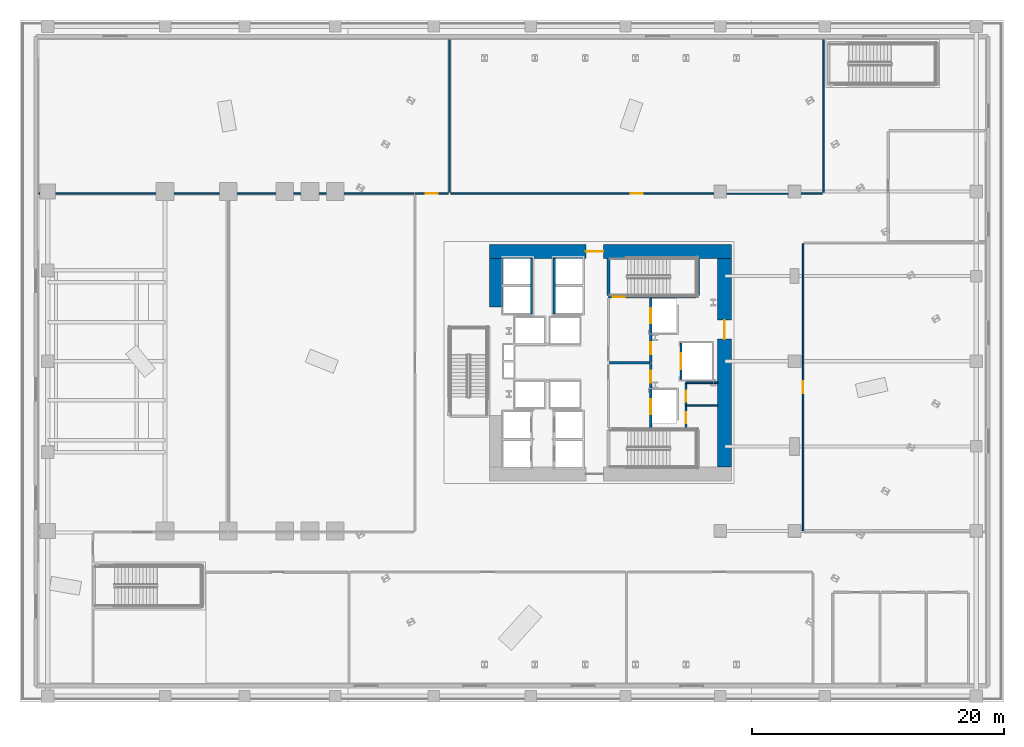
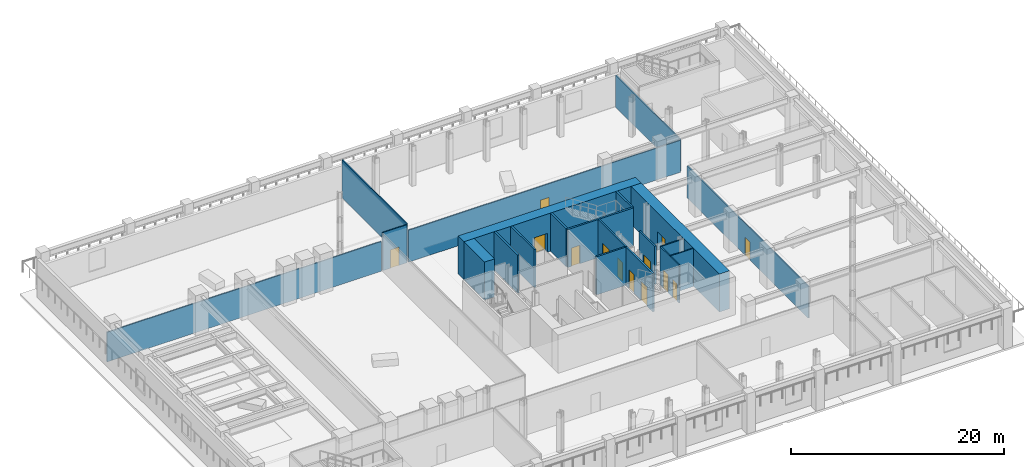
# One storey, part 5 of 18: 21 walls, 13 doors, 13 openings.
"""IFC4 building model written with IfcOpenShell, lengths in metres."""

from ifc_helpers import new_model, si_unit, direction, frame, frame_2d, origin, place, context, subcontext, project, spatial, rectangle, extrude, material, layer, layer_set, type_object, element, fill, save


model = new_model("IFC4")

# Units and contexts
model_context = context("Model", 3, precision=1e-05, world=origin(), true_north=direction((0.0, 1.0)))
body_context = subcontext(model_context, "Body", "Model", "MODEL_VIEW")
ifc_project = project(units=[si_unit("LENGTHUNIT", "METRE"), si_unit("AREAUNIT", "SQUARE_METRE"), si_unit("VOLUMEUNIT", "CUBIC_METRE"), si_unit("PLANEANGLEUNIT", "RADIAN"), si_unit("MASSUNIT", "GRAM", prefix="KILO")], contexts=[model_context])

# Site, building, storey
site_placement = place(None, origin())
site = spatial("IfcSite", under=ifc_project, at=site_placement, CompositionType="ELEMENT")
building_placement = place(site_placement, origin())
building = spatial("IfcBuilding", under=site, at=building_placement, Name="Valkerne Bourse Tower", CompositionType="ELEMENT")
storey_placement = place(building_placement, frame((0.0, 0.0, 14.800048828125)))
storey = spatial("IfcBuildingStorey", under=building, at=storey_placement, Name="L03", CompositionType="ELEMENT", Elevation=14.800048828125)

# Wall, opening, door
ifc_material_1 = material(Name="Concrete C70/85", Category="concrete")
ifc_layer_1 = layer(ifc_material_1, 1.10009765625)
ifc_layer_set_1 = layer_set([ifc_layer_1], Name="Concrete C70/85")
wall_type_1 = type_object("IfcWallType", Name="W-CORE-1100", PredefinedType="SHEAR", material=ifc_layer_set_1)
wall_1_placement = place(storey_placement, frame((37.199951171875, 35.699951171875, 0.0), z_axis=(0.0, 0.0, 1.0), x_axis=(1.0, 0.0, 0.0)))
wall_1 = element("IfcWall", 1, at=wall_1_placement, inside=storey, type_object=wall_type_1, Name="L03 Core Shear Wall NORTH", PredefinedType="SHEAR", context=body_context, shape_type="SweptSolid", body=[
    extrude(rectangle(XDim=19.199951171875, YDim=1.10009765625, at=frame_2d((9.60009765625, 0.0))), origin(), (0.0, 0.0, 1.0), 4.35986328125),
])
opening_1_placement = place(wall_1_placement, frame((7.64990234375, 0.0, 0.0)))
opening_1 = element("IfcOpeningElement", 2, at=opening_1_placement, cuts=wall_1, Name="Opening D-PL-1400", PredefinedType="OPENING", context=body_context, shape_type="SweptSolid", body=[
    extrude(rectangle(XDim=1.39990234375, YDim=2.14990234375, at=frame_2d((0.699951171875, 1.074951171875))), frame((0.0, 0.56005859375, 0.0), z_axis=(0.0, -1.0, 0.0), x_axis=(1.0, 0.0, 0.0)), (0.0, 0.0, 1.0), 1.1201171875),
])
ifc_material_2 = material(Name="Galvanised Painted Steel", Category="steel")
door_type_1 = type_object("IfcDoorType", Name="DR-PLT-1400", OperationType="DOUBLE_DOOR_SINGLE_SWING", PredefinedType="DOOR", material=ifc_material_2)
door_1_placement = place(opening_1_placement, origin())
door_1 = element("IfcDoor", 3, at=door_1_placement, inside=storey, type_object=door_type_1, Name="L03 North Passenger Lift Hall Fire Door", OperationType="DOUBLE_DOOR_SINGLE_SWING", OverallHeight=2.14990234375, OverallWidth=1.39990234375, PredefinedType="DOOR", context=body_context, shape_type="SweptSolid", body=[
    extrude(rectangle(XDim=1.39990234375, YDim=2.14990234375, at=frame_2d((0.699951171875, 1.074951171875))), frame((0.0, 0.02490234375, 0.0), z_axis=(0.0, -1.0, 0.0), x_axis=(1.0, 0.0, 0.0)), (0.0, 0.0, 1.0), 0.050048828125),
])
fill(opening_1, door_1)

wall_2_placement = place(storey_placement, frame((55.85009765625, 18.60009765625, 0.0), z_axis=(0.0, 0.0, 1.0), x_axis=(0.0, 1.0, 0.0)))
wall_2 = element("IfcWall", 4, at=wall_2_placement, inside=storey, type_object=wall_type_1, Name="L03 Core Shear Wall EAST", PredefinedType="SHEAR", context=body_context, shape_type="SweptSolid", body=[
    extrude(rectangle(XDim=16.5498046875, YDim=1.10009765625, at=frame_2d((8.27490234375, 0.0))), origin(), (0.0, 0.0, 1.0), 4.35986328125),
])
opening_2_placement = place(wall_2_placement, frame((10.14990234375, 0.0, 0.0)))
opening_2 = element("IfcOpeningElement", 5, at=opening_2_placement, cuts=wall_2, Name="Opening D-CR-1500", PredefinedType="OPENING", context=body_context, shape_type="SweptSolid", body=[
    extrude(rectangle(XDim=1.5, YDim=2.14990234375, at=frame_2d((0.75, 1.074951171875))), frame((0.0, 0.56005859375, 0.0), z_axis=(0.0, -1.0, 0.0), x_axis=(1.0, 0.0, 0.0)), (0.0, 0.0, 1.0), 1.1201171875),
])
door_type_2 = type_object("IfcDoorType", Name="DR-CORR-1500", OperationType="DOUBLE_DOOR_SINGLE_SWING", PredefinedType="DOOR", material=ifc_material_2)
door_2_placement = place(opening_2_placement, origin())
door_2 = element("IfcDoor", 6, at=door_2_placement, inside=storey, type_object=door_type_2, Name="L03 East Core Service Lobby Fire Door", OperationType="DOUBLE_DOOR_SINGLE_SWING", OverallHeight=2.14990234375, OverallWidth=1.5, PredefinedType="DOOR", context=body_context, shape_type="SweptSolid", body=[
    extrude(rectangle(XDim=1.5, YDim=2.14990234375, at=frame_2d((0.75, 1.074951171875))), frame((0.0, 0.02490234375, 0.0), z_axis=(0.0, -1.0, 0.0), x_axis=(1.0, 0.0, 0.0)), (0.0, 0.0, 1.0), 0.050048828125),
])
fill(opening_2, door_2)

# Walls
wall_3_placement = place(storey_placement, frame((37.75, 31.300048828125, 0.0), z_axis=(0.0, 0.0, 1.0), x_axis=(0.0, 1.0, 0.0)))
element("IfcWall", 7, at=wall_3_placement, inside=storey, type_object=wall_type_1, Name="L03 Core Shear Wall WEST-N", PredefinedType="SHEAR", context=body_context, shape_type="SweptSolid", body=[
    extrude(rectangle(XDim=3.849853515625, YDim=1.10009765625, at=frame_2d((1.9248046875, 0.0))), origin(), (0.0, 0.0, 1.0), 4.35986328125),
])
ifc_material_3 = material(Name="Gypsum Board Steel-Stud Partition", Category="steel")
ifc_layer_2 = layer(ifc_material_3, 0.117919921875)
ifc_layer_set_2 = layer_set([ifc_layer_2], Name="Gypsum Board Steel-Stud Partition")
wall_type_2 = type_object("IfcWallType", Name="W-CORR-140", PredefinedType="PARTITIONING", material=ifc_layer_set_2)
wall_4_placement = place(storey_placement, frame((52.800048828125, 23.510009765625, 0.0), z_axis=(0.0, 0.0, 1.0), x_axis=(1.0, 0.0, 0.0)))
element("IfcWall", 8, at=wall_4_placement, inside=storey, type_object=wall_type_2, Name="L03 Core SE Dual Divider", PredefinedType="PARTITIONING", context=body_context, shape_type="SweptSolid", body=[
    extrude(rectangle(XDim=2.52001953125, YDim=0.117919921875, at=frame_2d((1.260009765625, 0.0))), origin(), (0.0, 0.0, 1.0), 4.35986328125),
])

# Wall, opening, door
wall_5_placement = place(storey_placement, frame((62.080078125, 13.550048828125, 0.0), z_axis=(0.0, 0.0, 1.0), x_axis=(0.0, 1.0, 0.0)))
wall_5 = element("IfcWall", 9, at=wall_5_placement, inside=storey, type_object=wall_type_2, Name="L03 L03 East Quantitative Analytics Office Wall", PredefinedType="PARTITIONING", context=body_context, shape_type="SweptSolid", body=[
    extrude(rectangle(XDim=22.75, YDim=0.117919921875, at=frame_2d((11.375, 0.0))), origin(), (0.0, 0.0, 1.0), 3.656494140625),
])
opening_3_placement = place(wall_5_placement, frame((10.89990234375, 0.0, 0.0)))
opening_3 = element("IfcOpeningElement", 10, at=opening_3_placement, cuts=wall_5, Name="Opening D-OF-950", PredefinedType="OPENING", context=body_context, shape_type="SweptSolid", body=[
    extrude(rectangle(XDim=0.949951171875, YDim=2.10009765625, at=frame_2d((0.47509765625, 1.050048828125))), frame((0.0, 0.06884765625, 0.0), z_axis=(0.0, -1.0, 0.0), x_axis=(1.0, 0.0, 0.0)), (0.0, 0.0, 1.0), 0.137939453125),
])
ifc_material_4 = material(Name="Architectural White Oak Timber", Category="wood")
door_type_3 = type_object("IfcDoorType", Name="DR-OFF-950", OperationType="NOTDEFINED", PredefinedType="DOOR", material=ifc_material_4)
door_3_placement = place(opening_3_placement, origin())
door_3 = element("IfcDoor", 11, at=door_3_placement, inside=storey, type_object=door_type_3, Name="L03 L03 East Analytics Office Door", OperationType="SINGLE_SWING_RIGHT", OverallHeight=2.10009765625, OverallWidth=0.949951171875, PredefinedType="DOOR", context=body_context, shape_type="SweptSolid", body=[
    extrude(rectangle(XDim=0.949951171875, YDim=2.10009765625, at=frame_2d((0.47509765625, 1.050048828125))), frame((0.0, 0.02490234375, 0.0), z_axis=(0.0, -1.0, 0.0), x_axis=(1.0, 0.0, 0.0)), (0.0, 0.0, 1.0), 0.050048828125),
])
fill(opening_3, door_3)

# Walls
wall_6_placement = place(storey_placement, frame((63.679931640625, 40.3798828125, 0.0), z_axis=(0.0, 0.0, 1.0), x_axis=(0.0, 1.0, 0.0)))
element("IfcWall", 12, at=wall_6_placement, inside=storey, type_object=wall_type_2, Name="L03 L03 North Clearing & Margin Office Wall", PredefinedType="PARTITIONING", context=body_context, shape_type="SweptSolid", body=[
    extrude(rectangle(XDim=12.1201171875, YDim=0.117919921875, at=frame_2d((6.06005859375, 0.0))), origin(), (0.0, 0.0, 1.0), 3.656494140625),
])
wall_7_placement = place(storey_placement, frame((34.06005859375, 40.3798828125, 0.0), z_axis=(0.0, 0.0, 1.0), x_axis=(0.0, 1.0, 0.0)))
element("IfcWall", 13, at=wall_7_placement, inside=storey, type_object=wall_type_2, Name="L03 L03 North Clearing & Margin Office Wall", PredefinedType="PARTITIONING", context=body_context, shape_type="SweptSolid", body=[
    extrude(rectangle(XDim=12.1201171875, YDim=0.117919921875, at=frame_2d((6.06005859375, 0.0))), origin(), (0.0, 0.0, 1.0), 4.35986328125),
])

# Wall, opening, door
wall_8_placement = place(storey_placement, frame((34.14990234375, 40.300048828125, 0.0), z_axis=(0.0, 0.0, 1.0), x_axis=(1.0, 0.0, 0.0)))
wall_8 = element("IfcWall", 14, at=wall_8_placement, inside=storey, type_object=wall_type_2, Name="L03 L03 North Clearing & Margin Office Wall", PredefinedType="PARTITIONING", context=body_context, shape_type="SweptSolid", body=[
    extrude(rectangle(XDim=29.4501953125, YDim=0.117919921875, at=frame_2d((14.72509765625, 0.0))), origin(), (0.0, 0.0, 1.0), 3.656494140625),
])
opening_4_placement = place(wall_8_placement, frame((14.25, 0.0, 0.0)))
opening_4 = element("IfcOpeningElement", 15, at=opening_4_placement, cuts=wall_8, Name="Opening D-OF-950", PredefinedType="OPENING", context=body_context, shape_type="SweptSolid", body=[
    extrude(rectangle(XDim=0.949951171875, YDim=2.10009765625, at=frame_2d((0.47509765625, 1.050048828125))), frame((0.0, 0.06884765625, 0.0), z_axis=(0.0, -1.0, 0.0), x_axis=(1.0, 0.0, 0.0)), (0.0, 0.0, 1.0), 0.137939453125),
])
door_4_placement = place(opening_4_placement, origin())
door_4 = element("IfcDoor", 16, at=door_4_placement, inside=storey, type_object=door_type_3, Name="L03 L03 North Clearing Office Door", OperationType="SINGLE_SWING_LEFT", OverallHeight=2.10009765625, OverallWidth=0.949951171875, PredefinedType="DOOR", context=body_context, shape_type="SweptSolid", body=[
    extrude(rectangle(XDim=0.949951171875, YDim=2.10009765625, at=frame_2d((0.47509765625, 1.050048828125))), frame((0.0, 0.02490234375, 0.0), z_axis=(0.0, -1.0, 0.0), x_axis=(1.0, 0.0, 0.0)), (0.0, 0.0, 1.0), 0.050048828125),
])
fill(opening_4, door_4)

# Wall
wall_9_placement = place(storey_placement, frame((1.5, 40.300048828125, 0.0), z_axis=(0.0, 0.0, 1.0), x_axis=(1.0, 0.0, 0.0)))
element("IfcWall", 17, at=wall_9_placement, inside=storey, type_object=wall_type_2, Name="L03 L03 North-West Derivatives Studio Office Wall", PredefinedType="PARTITIONING", context=body_context, shape_type="SweptSolid", body=[
    extrude(rectangle(XDim=29.699951171875, YDim=0.117919921875, at=frame_2d((14.85009765625, 0.0))), origin(), (0.0, 0.0, 1.0), 3.400146484375),
])

# Wall, opening, door
wall_10_placement = place(storey_placement, frame((31.35009765625, 40.300048828125, 0.0), z_axis=(0.0, 0.0, 1.0), x_axis=(1.0, 0.0, 0.0)))
wall_10 = element("IfcWall", 18, at=wall_10_placement, inside=storey, type_object=wall_type_2, Name="L03 L03 North-West Derivatives Studio Office Wall", PredefinedType="PARTITIONING", context=body_context, shape_type="SweptSolid", body=[
    extrude(rectangle(XDim=2.599853515625, YDim=0.117919921875, at=frame_2d((1.2998046875, 0.0))), origin(), (0.0, 0.0, 1.0), 4.35986328125),
])
opening_5_placement = place(wall_10_placement, frame((0.824951171875, 0.0, 0.0)))
opening_5 = element("IfcOpeningElement", 19, at=opening_5_placement, cuts=wall_10, Name="Opening D-OF-950", PredefinedType="OPENING", context=body_context, shape_type="SweptSolid", body=[
    extrude(rectangle(XDim=0.949951171875, YDim=2.10009765625, at=frame_2d((0.47509765625, 1.050048828125))), frame((0.0, 0.06884765625, 0.0), z_axis=(0.0, -1.0, 0.0), x_axis=(1.0, 0.0, 0.0)), (0.0, 0.0, 1.0), 0.137939453125),
])
door_5_placement = place(opening_5_placement, origin())
door_5 = element("IfcDoor", 20, at=door_5_placement, inside=storey, type_object=door_type_3, Name="L03 L03 NW Studio Office Door", OperationType="SINGLE_SWING_LEFT", OverallHeight=2.10009765625, OverallWidth=0.949951171875, PredefinedType="DOOR", context=body_context, shape_type="SweptSolid", body=[
    extrude(rectangle(XDim=0.949951171875, YDim=2.10009765625, at=frame_2d((0.47509765625, 1.050048828125))), frame((0.0, 0.02490234375, 0.0), z_axis=(0.0, -1.0, 0.0), x_axis=(1.0, 0.0, 0.0)), (0.0, 0.0, 1.0), 0.050048828125),
])
fill(opening_5, door_5)

# Wall
ifc_material_5 = material(Name="Gypsum Fire-Rated Shaftwall", Category="gypsum")
ifc_layer_3 = layer(ifc_material_5, 0.179931640625)
ifc_layer_set_3 = layer_set([ifc_layer_3], Name="Gypsum Fire-Rated Shaftwall")
wall_type_3 = type_object("IfcWallType", Name="W-FSAE-180", PredefinedType="PARTITIONING", material=ifc_layer_set_3)
wall_11_placement = place(storey_placement, frame((46.739990234375, 26.8798828125, 0.0), z_axis=(0.0, 0.0, 1.0), x_axis=(1.0, 0.0, 0.0)))
element("IfcWall", 21, at=wall_11_placement, inside=storey, type_object=wall_type_3, Name="L03 FSAE-1/2 Lobby Dividing Fire Wall", PredefinedType="PARTITIONING", context=body_context, shape_type="SweptSolid", body=[
    extrude(rectangle(XDim=3.169921875, YDim=0.179931640625, at=frame_2d((1.5849609375, 0.0))), origin(), (0.0, 0.0, 1.0), 4.35986328125),
])

# Wall, openings, doors
wall_12_placement = place(storey_placement, frame((50.0, 21.75, 0.0), z_axis=(0.0, 0.0, 1.0), x_axis=(0.0, 1.0, 0.0)))
wall_12 = element("IfcWall", 22, at=wall_12_placement, inside=storey, type_object=wall_type_3, Name="L03 FSAE-1 Lobby & Shaft Front Wall", PredefinedType="PARTITIONING", context=body_context, shape_type="SweptSolid", body=[
    extrude(rectangle(XDim=5.090087890625, YDim=0.179931640625, at=frame_2d((2.544921875, 0.0))), origin(), (0.0, 0.0, 1.0), 4.35986328125),
])
opening_6_placement = place(wall_12_placement, frame((1.050048828125, 0.0, 0.0)))
opening_6 = element("IfcOpeningElement", 23, at=opening_6_placement, cuts=wall_12, Name="Opening LD-1200", PredefinedType="OPENING", context=body_context, shape_type="SweptSolid", body=[
    extrude(rectangle(XDim=1.199951171875, YDim=2.14990234375, at=frame_2d((0.60009765625, 1.074951171875))), frame((0.0, 0.099853515625, 0.0), z_axis=(0.0, -1.0, 0.0), x_axis=(1.0, 0.0, 0.0)), (0.0, 0.0, 1.0), 0.199951171875),
])
opening_7_placement = place(wall_12_placement, frame((3.550048828125, 0.0, 0.0)))
opening_7 = element("IfcOpeningElement", 24, at=opening_7_placement, cuts=wall_12, Name="Opening D-FS-950", PredefinedType="OPENING", context=body_context, shape_type="SweptSolid", body=[
    extrude(rectangle(XDim=0.949951171875, YDim=2.10009765625, at=frame_2d((0.47509765625, 1.050048828125))), frame((0.0, 0.099853515625, 0.0), z_axis=(0.0, -1.0, 0.0), x_axis=(1.0, 0.0, 0.0)), (0.0, 0.0, 1.0), 0.199951171875),
])
door_type_4 = type_object("IfcDoorType", Name="DR-FSAE-950", OperationType="NOTDEFINED", PredefinedType="DOOR", material=ifc_material_2)
door_6_placement = place(opening_7_placement, origin())
door_6 = element("IfcDoor", 25, at=door_6_placement, inside=storey, type_object=door_type_4, Name="L03 FSAE-1 Lobby Corridor Fire Door", OperationType="SINGLE_SWING_LEFT", OverallHeight=2.10009765625, OverallWidth=0.949951171875, PredefinedType="DOOR", context=body_context, shape_type="SweptSolid", body=[
    extrude(rectangle(XDim=0.949951171875, YDim=2.10009765625, at=frame_2d((0.47509765625, 1.050048828125))), frame((0.0, 0.02490234375, 0.0), z_axis=(0.0, -1.0, 0.0), x_axis=(1.0, 0.0, 0.0)), (0.0, 0.0, 1.0), 0.050048828125),
])
fill(opening_7, door_6)
ifc_material_6 = material(Name="Stainless Steel AISI 316", Category="steel")
door_type_5 = type_object("IfcDoorType", Name="DR-LIFT-1200", OperationType="DOUBLE_DOOR_SLIDING", PredefinedType="DOOR", material=ifc_material_6)
door_7_placement = place(opening_6_placement, origin())
door_7 = element("IfcDoor", 26, at=door_7_placement, inside=storey, type_object=door_type_5, Name="L03 FSAE-1 Firefighting Lift Landing Door", OperationType="DOUBLE_DOOR_SLIDING", OverallHeight=2.14990234375, OverallWidth=1.199951171875, PredefinedType="DOOR", context=body_context, shape_type="SweptSolid", body=[
    extrude(rectangle(XDim=1.199951171875, YDim=2.14990234375, at=frame_2d((0.60009765625, 1.074951171875))), frame((0.0, 0.02490234375, 0.0), z_axis=(0.0, -1.0, 0.0), x_axis=(1.0, 0.0, 0.0)), (0.0, 0.0, 1.0), 0.050048828125),
])
fill(opening_6, door_7)

wall_13_placement = place(storey_placement, frame((50.0, 26.919921875, 0.0), z_axis=(0.0, 0.0, 1.0), x_axis=(0.0, 1.0, 0.0)))
wall_13 = element("IfcWall", 27, at=wall_13_placement, inside=storey, type_object=wall_type_3, Name="L03 FSAE-2 Lobby & Shaft Front Wall", PredefinedType="PARTITIONING", context=body_context, shape_type="SweptSolid", body=[
    extrude(rectangle(XDim=5.080078125, YDim=0.179931640625, at=frame_2d((2.5400390625, 0.0))), origin(), (0.0, 0.0, 1.0), 4.35986328125),
])
opening_8_placement = place(wall_13_placement, frame((3.080078125, 0.0, 0.0)))
opening_8 = element("IfcOpeningElement", 28, at=opening_8_placement, cuts=wall_13, Name="Opening LD-1200", PredefinedType="OPENING", context=body_context, shape_type="SweptSolid", body=[
    extrude(rectangle(XDim=1.199951171875, YDim=2.14990234375, at=frame_2d((0.60009765625, 1.074951171875))), frame((0.0, 0.099853515625, 0.0), z_axis=(0.0, -1.0, 0.0), x_axis=(1.0, 0.0, 0.0)), (0.0, 0.0, 1.0), 0.199951171875),
])
opening_9_placement = place(wall_13_placement, frame((0.6298828125, 0.0, 0.0)))
opening_9 = element("IfcOpeningElement", 29, at=opening_9_placement, cuts=wall_13, Name="Opening D-FS-950", PredefinedType="OPENING", context=body_context, shape_type="SweptSolid", body=[
    extrude(rectangle(XDim=0.949951171875, YDim=2.10009765625, at=frame_2d((0.47509765625, 1.050048828125))), frame((0.0, 0.099853515625, 0.0), z_axis=(0.0, -1.0, 0.0), x_axis=(1.0, 0.0, 0.0)), (0.0, 0.0, 1.0), 0.199951171875),
])
door_8_placement = place(opening_9_placement, origin())
door_8 = element("IfcDoor", 30, at=door_8_placement, inside=storey, type_object=door_type_4, Name="L03 FSAE-2 Lobby Corridor Fire Door", OperationType="SINGLE_SWING_LEFT", OverallHeight=2.10009765625, OverallWidth=0.949951171875, PredefinedType="DOOR", context=body_context, shape_type="SweptSolid", body=[
    extrude(rectangle(XDim=0.949951171875, YDim=2.10009765625, at=frame_2d((0.47509765625, 1.050048828125))), frame((0.0, 0.02490234375, 0.0), z_axis=(0.0, -1.0, 0.0), x_axis=(1.0, 0.0, 0.0)), (0.0, 0.0, 1.0), 0.050048828125),
])
fill(opening_9, door_8)
door_9_placement = place(opening_8_placement, origin())
door_9 = element("IfcDoor", 31, at=door_9_placement, inside=storey, type_object=door_type_5, Name="L03 FSAE-2 Firefighting Lift Landing Door", OperationType="DOUBLE_DOOR_SLIDING", OverallHeight=2.14990234375, OverallWidth=1.199951171875, PredefinedType="DOOR", context=body_context, shape_type="SweptSolid", body=[
    extrude(rectangle(XDim=1.199951171875, YDim=2.14990234375, at=frame_2d((0.60009765625, 1.074951171875))), frame((0.0, 0.02490234375, 0.0), z_axis=(0.0, -1.0, 0.0), x_axis=(1.0, 0.0, 0.0)), (0.0, 0.0, 1.0), 0.050048828125),
])
fill(opening_8, door_9)

# Wall, opening, door
ifc_material_7 = material(Name="CMU Blockwork Masonry 200mm", Category="masonry")
ifc_layer_4 = layer(ifc_material_7, 0.179931640625)
ifc_layer_set_4 = layer_set([ifc_layer_4], Name="CMU Blockwork Masonry 200mm")
wall_type_4 = type_object("IfcWallType", Name="W-LFT-180", PredefinedType="SOLIDWALL", material=ifc_layer_set_4)
wall_14_placement = place(storey_placement, frame((52.39990234375, 25.550048828125, 0.0), z_axis=(0.0, 0.0, 1.0), x_axis=(0.0, 1.0, 0.0)))
wall_14 = element("IfcWall", 32, at=wall_14_placement, inside=storey, type_object=wall_type_4, Name="L03 Service Lift SV-1 Front Wall", PredefinedType="SOLIDWALL", context=body_context, shape_type="SweptSolid", body=[
    extrude(rectangle(XDim=2.89990234375, YDim=0.179931640625, at=frame_2d((1.449951171875, 0.0))), origin(), (0.0, 0.0, 1.0), 4.35986328125),
])
opening_10_placement = place(wall_14_placement, frame((0.800048828125, 0.0, 0.0)))
opening_10 = element("IfcOpeningElement", 33, at=opening_10_placement, cuts=wall_14, Name="Opening LD-1300", PredefinedType="OPENING", context=body_context, shape_type="SweptSolid", body=[
    extrude(rectangle(XDim=1.300048828125, YDim=2.14990234375, at=frame_2d((0.64990234375, 1.074951171875))), frame((0.0, 0.099853515625, 0.0), z_axis=(0.0, -1.0, 0.0), x_axis=(1.0, 0.0, 0.0)), (0.0, 0.0, 1.0), 0.199951171875),
])
door_type_6 = type_object("IfcDoorType", Name="DR-LIFT-1300", OperationType="DOUBLE_DOOR_SLIDING", PredefinedType="DOOR", material=ifc_material_6)
door_10_placement = place(opening_10_placement, origin())
door_10 = element("IfcDoor", 34, at=door_10_placement, inside=storey, type_object=door_type_6, Name="L03 Service Lift SV-1 Landing Door", OperationType="DOUBLE_DOOR_SLIDING", OverallHeight=2.14990234375, OverallWidth=1.300048828125, PredefinedType="DOOR", context=body_context, shape_type="SweptSolid", body=[
    extrude(rectangle(XDim=1.300048828125, YDim=2.14990234375, at=frame_2d((0.64990234375, 1.074951171875))), frame((0.0, 0.02490234375, 0.0), z_axis=(0.0, -1.0, 0.0), x_axis=(1.0, 0.0, 0.0)), (0.0, 0.0, 1.0), 0.050048828125),
])
fill(opening_10, door_10)

# Walls
for number, where, z_axis, x_axis, name in (
    (35, (40.550048828125, 30.75, 0.0), (0.0, 0.0, 1.0), (0.0, 1.0, 0.0), "L03 Mid-Zone West Cars Front Wall"),
    (36, (42.35009765625, 30.75, 0.0), (0.0, 0.0, 1.0), (0.0, 1.0, 0.0), "L03 Mid-Zone East Cars Front Wall"),
):
    element("IfcWall", number, at=place(storey_placement, frame(where, z_axis=z_axis, x_axis=x_axis)), inside=storey, type_object=wall_type_4, Name=name, PredefinedType="SOLIDWALL", context=body_context, shape_type="SweptSolid", body=[
        extrude(rectangle(XDim=4.39990234375, YDim=0.179931640625, at=frame_2d((2.199951171875, 0.0))), origin(), (0.0, 0.0, 1.0), 4.35986328125),
    ])

# Wall, opening, door
ifc_material_8 = material(Name="Concrete C40/50", Category="concrete")
ifc_layer_5 = layer(ifc_material_8, 0.199951171875)
ifc_layer_set_5 = layer_set([ifc_layer_5], Name="Concrete C40/50")
wall_type_5 = type_object("IfcWallType", Name="W-SHF-200", PredefinedType="SHEAR", material=ifc_layer_set_5)
wall_15_placement = place(storey_placement, frame((46.64990234375, 32.10009765625, 0.0), z_axis=(0.0, 0.0, 1.0), x_axis=(1.0, 0.0, 0.0)))
wall_15 = element("IfcWall", 37, at=wall_15_placement, inside=storey, type_object=wall_type_5, Name="L03 Exit Stair ST-2 Structural Shaft Wall South", PredefinedType="SHEAR", context=body_context, shape_type="SweptSolid", body=[
    extrude(rectangle(XDim=7.10009765625, YDim=0.199951171875, at=frame_2d((3.550048828125, 0.0))), origin(), (0.0, 0.0, 1.0), 4.35986328125),
])
opening_11_placement = place(wall_15_placement, frame((0.35009765625, 0.0, 0.0)))
opening_11 = element("IfcOpeningElement", 38, at=opening_11_placement, cuts=wall_15, Name="Opening D-ST-950", PredefinedType="OPENING", context=body_context, shape_type="SweptSolid", body=[
    extrude(rectangle(XDim=0.949951171875, YDim=2.10009765625, at=frame_2d((0.47509765625, 1.050048828125))), frame((0.0, 0.10986328125, 0.0), z_axis=(0.0, -1.0, 0.0), x_axis=(1.0, 0.0, 0.0)), (0.0, 0.0, 1.0), 0.219970703125),
])
door_type_7 = type_object("IfcDoorType", Name="DR-STAIR-950", OperationType="NOTDEFINED", PredefinedType="DOOR", material=ifc_material_2)
door_11_placement = place(opening_11_placement, origin())
door_11 = element("IfcDoor", 39, at=door_11_placement, inside=storey, type_object=door_type_7, Name="L03 Exit Stair ST-2 Door", OperationType="SINGLE_SWING_RIGHT", OverallHeight=2.10009765625, OverallWidth=0.949951171875, PredefinedType="DOOR", context=body_context, shape_type="SweptSolid", body=[
    extrude(rectangle(XDim=0.949951171875, YDim=2.10009765625, at=frame_2d((0.47509765625, 1.050048828125))), frame((0.0, 0.02490234375, 0.0), z_axis=(0.0, -1.0, 0.0), x_axis=(1.0, 0.0, 0.0)), (0.0, 0.0, 1.0), 0.050048828125),
])
fill(opening_11, door_11)

# Walls
for number, where, z_axis, x_axis, name in (
    (40, (46.64990234375, 32.199951171875, 0.0), (0.0, 0.0, 1.0), (0.0, 1.0, 0.0), "L03 Exit Stair ST-2 Structural Shaft Wall West"),
    (41, (53.75, 32.199951171875, 0.0), (0.0, 0.0, 1.0), (0.0, 1.0, 0.0), "L03 Exit Stair ST-2 Structural Shaft Wall East"),
):
    element("IfcWall", number, at=place(storey_placement, frame(where, z_axis=z_axis, x_axis=x_axis)), inside=storey, type_object=wall_type_5, Name=name, PredefinedType="SHEAR", context=body_context, shape_type="SweptSolid", body=[
        extrude(rectangle(XDim=2.949951171875, YDim=0.199951171875, at=frame_2d((1.47509765625, 0.0))), origin(), (0.0, 0.0, 1.0), 4.35986328125),
    ])

# Wall, openings, doors
ifc_material_9 = material(Name="Moisture-Resistant Gypsum Partition", Category="gypsum")
ifc_layer_6 = layer(ifc_material_9, 0.139892578125)
ifc_layer_set_6 = layer_set([ifc_layer_6], Name="Moisture-Resistant Gypsum Partition")
wall_type_6 = type_object("IfcWallType", Name="W-WET-140", PredefinedType="PARTITIONING", material=ifc_layer_set_6)
wall_16_placement = place(storey_placement, frame((52.800048828125, 21.75, 0.0), z_axis=(0.0, 0.0, 1.0), x_axis=(0.0, 1.0, 0.0)))
wall_16 = element("IfcWall", 42, at=wall_16_placement, inside=storey, type_object=wall_type_6, Name="L03 Core SE Dual West Wall", PredefinedType="PARTITIONING", context=body_context, shape_type="SweptSolid", body=[
    extrude(rectangle(XDim=3.550048828125, YDim=0.139892578125, at=frame_2d((1.77490234375, 0.0))), origin(), (0.0, 0.0, 1.0), 4.35986328125),
])
opening_12_placement = place(wall_16_placement, frame((0.35009765625, 0.0, 0.0)))
opening_12 = element("IfcOpeningElement", 43, at=opening_12_placement, cuts=wall_16, Name="Opening D-WC-900", PredefinedType="OPENING", context=body_context, shape_type="SweptSolid", body=[
    extrude(rectangle(XDim=0.860107421875, YDim=2.050048828125, at=frame_2d((0.43017578125, 1.02490234375))), frame((0.0, 0.079833984375, 0.0), z_axis=(0.0, -1.0, 0.0), x_axis=(1.0, 0.0, 0.0)), (0.0, 0.0, 1.0), 0.159912109375),
])
opening_13_placement = place(wall_16_placement, frame((2.050048828125, 0.0, 0.0)))
opening_13 = element("IfcOpeningElement", 44, at=opening_13_placement, cuts=wall_16, Name="Opening D-WC-900", PredefinedType="OPENING", context=body_context, shape_type="SweptSolid", body=[
    extrude(rectangle(XDim=0.860107421875, YDim=2.050048828125, at=frame_2d((0.43017578125, 1.02490234375))), frame((0.0, 0.079833984375, 0.0), z_axis=(0.0, -1.0, 0.0), x_axis=(1.0, 0.0, 0.0)), (0.0, 0.0, 1.0), 0.159912109375),
])
door_type_8 = type_object("IfcDoorType", Name="DR-WC-900", OperationType="NOTDEFINED", PredefinedType="DOOR", material=ifc_material_4)
door_12_placement = place(opening_12_placement, origin())
door_12 = element("IfcDoor", 45, at=door_12_placement, inside=storey, type_object=door_type_8, Name="L03 Linen Store Door", OperationType="SINGLE_SWING_LEFT", OverallHeight=2.050048828125, OverallWidth=0.860107421875, PredefinedType="DOOR", context=body_context, shape_type="SweptSolid", body=[
    extrude(rectangle(XDim=0.860107421875, YDim=2.050048828125, at=frame_2d((0.43017578125, 1.02490234375))), frame((0.0, 0.02490234375, 0.0), z_axis=(0.0, -1.0, 0.0), x_axis=(1.0, 0.0, 0.0)), (0.0, 0.0, 1.0), 0.050048828125),
])
fill(opening_12, door_12)
door_13_placement = place(opening_13_placement, origin())
door_13 = element("IfcDoor", 46, at=door_13_placement, inside=storey, type_object=door_type_8, Name="L03 Espresso Kitchen Door", OperationType="SINGLE_SWING_LEFT", OverallHeight=2.050048828125, OverallWidth=0.860107421875, PredefinedType="DOOR", context=body_context, shape_type="SweptSolid", body=[
    extrude(rectangle(XDim=0.860107421875, YDim=2.050048828125, at=frame_2d((0.43017578125, 1.02490234375))), frame((0.0, 0.02490234375, 0.0), z_axis=(0.0, -1.0, 0.0), x_axis=(1.0, 0.0, 0.0)), (0.0, 0.0, 1.0), 0.050048828125),
])
fill(opening_13, door_13)

# Wall
wall_17_placement = place(storey_placement, frame((52.800048828125, 25.300048828125, 0.0), z_axis=(0.0, 0.0, 1.0), x_axis=(1.0, 0.0, 0.0)))
element("IfcWall", 47, at=wall_17_placement, inside=storey, type_object=wall_type_6, Name="L03 Core SE Dual North Wall", PredefinedType="PARTITIONING", context=body_context, shape_type="SweptSolid", body=[
    extrude(rectangle(XDim=2.52001953125, YDim=0.139892578125, at=frame_2d((1.260009765625, 0.0))), origin(), (0.0, 0.0, 1.0), 4.35986328125),
])

save(model, "model.ifc")
